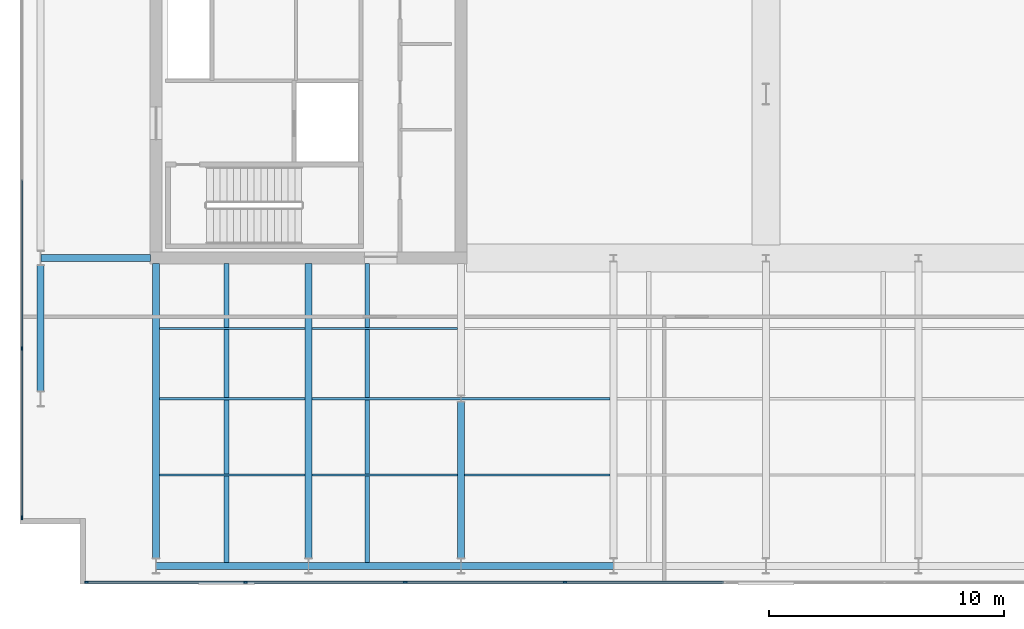
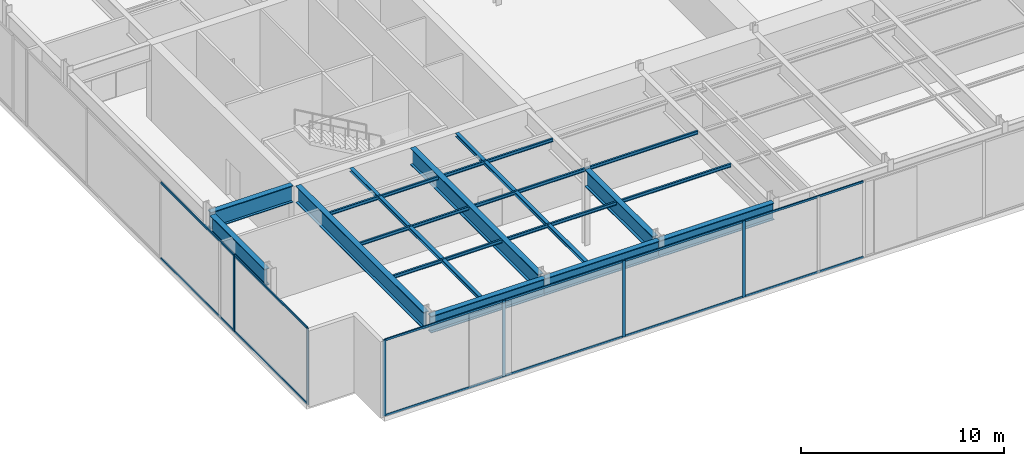
# One storey, part 5 of 21: 20 members, 16 beams, 2 elements without a shape of their own.
"""IFC4 building model written with IfcOpenShell, lengths in metres."""

import ifcopenshell
import ifcopenshell.guid

model = None  # the IFC model being written
_history = None  # IfcOwnerHistory: only IFC2X3 demands one
_inside = {}  # id of a spatial element -> (the spatial element, [elements in it])
_under = {}  # id of a project, library or spatial element -> (it, [spatial elements below it])
_declared = {}  # id of a project -> (the project, [libraries it declares])
_typed = {}  # id of a type object -> (the type object, [elements of that type])
_made_of = {}  # id of a material, layer set ... -> (it, [elements and type objects made of it])


def new_model(schema):
    """Start an empty IFC model of exactly this schema.

    Asked for "IFC4X3", IfcOpenShell would pick the latest addendum, in which some entities
    have other attributes; the version numbers below select the first issue.
    IFC2X3 requires an IfcOwnerHistory on every rooted entity: one is made here for all.
    """
    global model, _history
    if schema == "IFC4X3":
        model = ifcopenshell.file(schema_version=(4, 3, 0, 0))
    else:
        model = ifcopenshell.file(schema=schema)
    _inside.clear()
    _under.clear()
    _declared.clear()
    _typed.clear()
    _made_of.clear()
    _history = None
    if model.schema == "IFC2X3":
        org = make("IfcOrganization", Name="unknown")
        user = make(
            "IfcPersonAndOrganization",
            ThePerson=make("IfcPerson", FamilyName="unknown"),
            TheOrganization=org,
        )
        app = make(
            "IfcApplication",
            ApplicationDeveloper=org,
            Version="unknown",
            ApplicationFullName="unknown",
            ApplicationIdentifier="unknown",
        )
        _history = make(
            "IfcOwnerHistory",
            OwningUser=user,
            OwningApplication=app,
            ChangeAction="ADDED",
            CreationDate=0,
        )
    return model


def make(cls, **values):
    """One entity of the class cls with the attributes given. An attribute that is None is left unset."""
    return model.create_entity(
        cls, **{name: value for name, value in values.items() if value is not None}
    )


def rooted(cls, **values):
    """An entity with a GlobalId (a new one), such as an element, a storey or a relation."""
    return make(cls, GlobalId=ifcopenshell.guid.new(), OwnerHistory=_history, **values)


def si_unit(unit_type, name, prefix=None):
    """IfcSIUnit, for example si_unit("LENGTHUNIT", "METRE", prefix="MILLI")."""
    return make("IfcSIUnit", UnitType=unit_type, Prefix=prefix, Name=name)


def assignment(units):
    """IfcUnitAssignment: the units of a project."""
    return None if units is None else make("IfcUnitAssignment", Units=units)


def point(xyz):
    """IfcCartesianPoint."""
    return None if xyz is None else make("IfcCartesianPoint", Coordinates=xyz)


def direction(xyz):
    """IfcDirection."""
    return None if xyz is None else make("IfcDirection", DirectionRatios=xyz)


def frame(location, z_axis=None, x_axis=None):
    """IfcAxis2Placement3D, a coordinate frame: its origin and axes. An axis left out is left unset."""
    return make(
        "IfcAxis2Placement3D",
        Location=point(location),
        Axis=direction(z_axis),
        RefDirection=direction(x_axis),
    )


def frame_2d(location, x_axis=None):
    """IfcAxis2Placement2D, a coordinate frame in the plane: its origin and x axis."""
    return make(
        "IfcAxis2Placement2D", Location=point(location), RefDirection=direction(x_axis)
    )


def origin():
    """The frame at (0, 0, 0) with its axes left unset."""
    return frame((0.0, 0.0, 0.0))


def origin_2d():
    """The frame at (0, 0) in the plane with its x axis left unset."""
    return frame_2d((0.0, 0.0))


def place(relative_to, where):
    """IfcLocalPlacement: puts the frame where relative to a parent placement (None: the world)."""
    return make(
        "IfcLocalPlacement", PlacementRelTo=relative_to, RelativePlacement=where
    )


def context(
    kind, dimensions, precision=None, world=None, true_north=None, identifier=None
):
    """IfcGeometricRepresentationContext, for example the 3D "Model" context."""
    return make(
        "IfcGeometricRepresentationContext",
        ContextIdentifier=identifier,
        ContextType=kind,
        CoordinateSpaceDimension=dimensions,
        Precision=precision,
        WorldCoordinateSystem=world,
        TrueNorth=true_north,
    )


def subcontext(parent, identifier, kind, view, scale=None):
    """IfcGeometricRepresentationSubContext, for example "Body" below "Model"."""
    return make(
        "IfcGeometricRepresentationSubContext",
        ContextIdentifier=identifier,
        ContextType=kind,
        ParentContext=parent,
        TargetScale=scale,
        TargetView=view,
    )


def project(units=None, contexts=None):
    """IfcProject with its units and contexts."""
    return rooted(
        "IfcProject",
        Name="project",
        RepresentationContexts=contexts,
        UnitsInContext=assignment(units),
    )


def spatial(cls, under=None, at=None, **own):
    """A site, building, storey or space (cls), placed at a placement, below another one or the project."""
    s = rooted(cls, ObjectPlacement=at, **own)
    if under is not None:
        _under.setdefault(under.id(), (under, []))[1].append(s)
    return s


def profile(cls, at=None, kind="AREA", **sizes):
    """A parametric profile (cls). Its sizes go by their IFC names, for example OverallWidth=200.0."""
    return make(cls, ProfileType=kind, Position=at, **sizes)


def rectangle(**sizes):
    """IfcRectangleProfileDef."""
    return profile("IfcRectangleProfileDef", **sizes)


def i_section(**sizes):
    """IfcIShapeProfileDef."""
    return profile("IfcIShapeProfileDef", **sizes)


def extrude(swept, where, along, depth):
    """IfcExtrudedAreaSolid: the profile swept, set in the frame where, extruded along a direction by depth."""
    return make(
        "IfcExtrudedAreaSolid",
        SweptArea=swept,
        Position=where,
        ExtrudedDirection=direction(along),
        Depth=depth,
    )


def shape(context_of_items, identifier, shape_type, items):
    """IfcShapeRepresentation: the items that make up one representation, for example the "Body"."""
    return make(
        "IfcShapeRepresentation",
        ContextOfItems=context_of_items,
        RepresentationIdentifier=identifier,
        RepresentationType=shape_type,
        Items=items,
    )


def material(Name=None, Category=None):
    """IfcMaterial."""
    return make("IfcMaterial", Name=Name, Category=Category)


def layer(
    of_material, thickness, ventilated=None, Name=None, Category=None, Priority=None
):
    """IfcMaterialLayer: one layer of a wall or slab, of a material (None: an air gap)."""
    return make(
        "IfcMaterialLayer",
        Material=of_material,
        LayerThickness=thickness,
        IsVentilated=ventilated,
        Name=Name,
        Category=Category,
        Priority=Priority,
    )


def layer_set(layers, Name=None):
    """IfcMaterialLayerSet."""
    return make("IfcMaterialLayerSet", MaterialLayers=layers, LayerSetName=Name)


def material_profile(
    of_material, cross_section, Name=None, Category=None, Priority=None
):
    """IfcMaterialProfile: a cross section and its material."""
    return make(
        "IfcMaterialProfile",
        Name=Name,
        Material=of_material,
        Profile=cross_section,
        Priority=Priority,
        Category=Category,
    )


def profile_set(profiles, Name=None, composite=None):
    """IfcMaterialProfileSet."""
    return make(
        "IfcMaterialProfileSet",
        Name=Name,
        MaterialProfiles=profiles,
        CompositeProfile=composite,
    )


def made_of(thing, what):
    """Note that an element or type object is made of a material, layer set ...; save() writes the relation."""
    if what is not None:
        _made_of.setdefault(what.id(), (what, []))[1].append(thing)
    return thing


def type_object(cls, material=None, **own):
    """A type object (cls), such as IfcWallType, which elements share."""
    return made_of(rooted(cls, **own), material)


def element(
    cls,
    number,
    at=None,
    inside=None,
    cuts=None,
    type_object=None,
    material=None,
    context=None,
    identifier="Body",
    shape_type=None,
    held_by="IfcProductDefinitionShape",
    body=None,
    shapes=None,
    **own,
):
    """One element of the class cls, such as IfcWall. Its Tag is "e" and its number.

    at: its placement. inside: the storey or other place that contains it. cuts: it is an
    opening in that element (IfcRelVoidsElement). A single representation is given by context,
    identifier, shape_type and body (its items); several are given by shapes. held_by: the class
    of the entity that holds the representations. save() writes the other relations.
    """
    e = rooted(cls, Tag="e%d" % number, ObjectPlacement=at, **own)
    if body is not None:
        shapes = [shape(context, identifier, shape_type, body)]
    if shapes is not None:
        e.Representation = make(held_by, Representations=shapes)
    if inside is not None:
        _inside.setdefault(inside.id(), (inside, []))[1].append(e)
    if cuts is not None:
        rooted(
            "IfcRelVoidsElement", RelatingBuildingElement=cuts, RelatedOpeningElement=e
        )
    if type_object is not None:
        _typed.setdefault(type_object.id(), (type_object, []))[1].append(e)
    return made_of(e, material)


def aggregate(whole, parts):
    """IfcRelAggregates: a whole, such as a stair, and the parts it consists of."""
    return rooted("IfcRelAggregates", RelatingObject=whole, RelatedObjects=parts)


def save(model, path):
    """Write the relations noted so far, then the file.

    IfcRelAggregates (storeys below a building ...), IfcRelContainedInSpatialStructure (elements
    in a storey), IfcRelDefinesByType, IfcRelAssociatesMaterial and IfcRelDeclares: one each for
    every whole, place, type object, material and project.
    """
    for whole, parts in _under.values():
        aggregate(whole, parts)
    for where, things in _inside.values():
        rooted(
            "IfcRelContainedInSpatialStructure",
            RelatedElements=things,
            RelatingStructure=where,
        )
    for kind, things in _typed.values():
        rooted("IfcRelDefinesByType", RelatedObjects=things, RelatingType=kind)
    for what, things in _made_of.values():
        rooted("IfcRelAssociatesMaterial", RelatedObjects=things, RelatingMaterial=what)
    for by, libraries in _declared.values():
        rooted("IfcRelDeclares", RelatingContext=by, RelatedDefinitions=libraries)
    model.write(path)


model = new_model("IFC4")

# Units and contexts
model_context = context("Model", 3, precision=1e-05, world=origin(), true_north=direction((0.0, 1.0)))
body_context = subcontext(model_context, "Body", "Model", "MODEL_VIEW")
ifc_project = project(units=[si_unit("LENGTHUNIT", "METRE"), si_unit("AREAUNIT", "SQUARE_METRE"), si_unit("VOLUMEUNIT", "CUBIC_METRE"), si_unit("PLANEANGLEUNIT", "RADIAN"), si_unit("MASSUNIT", "GRAM", prefix="KILO")], contexts=[model_context])

# Site, building, storey
site_placement = place(None, origin())
site = spatial("IfcSite", under=ifc_project, at=site_placement, CompositionType="ELEMENT")
building_placement = place(site_placement, origin())
building = spatial("IfcBuilding", under=site, at=building_placement, Name="Putna Gate Headquarters", CompositionType="ELEMENT")
storey_placement = place(building_placement, frame((0.0, 0.0, 315.39990234375)))
storey = spatial("IfcBuildingStorey", under=building, at=storey_placement, Name="L79", CompositionType="ELEMENT", Elevation=315.39990234375)

# Beams
ifc_material_1 = material(Name="Steel S355J2", Category="steel")
ifc_material_profile_1 = material_profile(ifc_material_1, i_section(OverallWidth=0.10009765625, OverallDepth=0.199951171875, WebThickness=0.005615234375, FlangeThickness=0.008544921875, at=origin_2d()), Name="Steel S355J2")
ifc_profile_set_1 = profile_set([ifc_material_profile_1], Name="Steel S355J2")
beam_type_1 = type_object("IfcBeamType", Name="BM-SEC-PLT-IPE200", PredefinedType="JOIST", material=ifc_profile_set_1)
for number, where, z_axis, x_axis, name in (
    (1, (13.155029296875, 9.75, 4.47998046875), (1.0, 0.0, 0.0), (0.0, 1.0, 0.0), "L79 South Secondary Beam 1"),
    (2, (13.155029296875, 13.0, 4.47998046875), (1.0, 0.0, 0.0), (0.0, 1.0, 0.0), "L79 South Secondary Beam 1"),
    (3, (13.155029296875, 16.0, 4.47998046875), (1.0, 0.0, 0.0), (0.0, 1.0, 0.0), "L79 South Secondary Beam 1"),
    (4, (19.655029296875, 9.75, 4.47998046875), (1.0, 0.0, 0.0), (0.0, 1.0, 0.0), "L79 South Secondary Beam 2"),
):
    element("IfcBeam", number, at=place(storey_placement, frame(where, z_axis=z_axis, x_axis=x_axis)), inside=storey, type_object=beam_type_1, Name=name, PredefinedType="JOIST", context=body_context, shape_type="SweptSolid", body=[
        extrude(i_section(OverallWidth=0.10009765625, OverallDepth=0.199951171875, WebThickness=0.005615234375, FlangeThickness=0.008544921875, at=origin_2d()), origin(), (0.0, 0.0, 1.0), 6.18994140625),
    ])
beam_1_placement = place(storey_placement, frame((19.655029296875, 13.0, 4.47998046875), z_axis=(1.0, 0.0, 0.0), x_axis=(0.0, 1.0, 0.0)))
element("IfcBeam", 5, at=beam_1_placement, inside=storey, type_object=beam_type_1, Name="L79 South Secondary Beam 2", PredefinedType="JOIST", context=body_context, shape_type="SweptSolid", body=[
    extrude(i_section(OverallWidth=0.10009765625, OverallDepth=0.199951171875, WebThickness=0.005615234375, FlangeThickness=0.008544921875, at=origin_2d()), origin(), (0.0, 0.0, 1.0), 6.3388671875),
])
for number, where, z_axis, x_axis, name in (
    (6, (19.655029296875, 16.0, 4.47998046875), (1.0, 0.0, 0.0), (0.0, 1.0, 0.0), "L79 South Secondary Beam 2"),
    (7, (26.155029296875, 9.75, 4.47998046875), (1.0, 0.0, 0.0), (0.0, 1.0, 0.0), "L79 South Secondary Beam 3"),
):
    element("IfcBeam", number, at=place(storey_placement, frame(where, z_axis=z_axis, x_axis=x_axis)), inside=storey, type_object=beam_type_1, Name=name, PredefinedType="JOIST", context=body_context, shape_type="SweptSolid", body=[
        extrude(i_section(OverallWidth=0.10009765625, OverallDepth=0.199951171875, WebThickness=0.005615234375, FlangeThickness=0.008544921875, at=origin_2d()), origin(), (0.0, 0.0, 1.0), 6.18994140625),
    ])
beam_2_placement = place(storey_placement, frame((26.006103515625, 13.0, 4.47998046875), z_axis=(1.0, 0.0, 0.0), x_axis=(0.0, 1.0, 0.0)))
element("IfcBeam", 8, at=beam_2_placement, inside=storey, type_object=beam_type_1, Name="L79 South Secondary Beam 3", PredefinedType="JOIST", context=body_context, shape_type="SweptSolid", body=[
    extrude(i_section(OverallWidth=0.10009765625, OverallDepth=0.199951171875, WebThickness=0.005615234375, FlangeThickness=0.008544921875, at=origin_2d()), origin(), (0.0, 0.0, 1.0), 6.3388671875),
])
ifc_material_2 = material(Name="Steel S460M", Category="steel")
ifc_material_profile_2 = material_profile(ifc_material_2, i_section(OverallWidth=0.302001953125, OverallDepth=1.008056640625, WebThickness=0.02099609375, FlangeThickness=0.0400390625, at=origin_2d()), Name="Steel S460M")
ifc_profile_set_2 = profile_set([ifc_material_profile_2], Name="Steel S460M")
beam_type_2 = type_object("IfcBeamType", Name="BM-TG-HEM1000", PredefinedType="USERDEFINED", material=ifc_profile_set_2)
beam_3_placement = place(storey_placement, frame((8.0859375, 19.0, 4.076171875), z_axis=(1.0, 0.0, 0.0), x_axis=(0.0, 1.0, 0.0)))
element("IfcBeam", 9, at=beam_3_placement, inside=storey, type_object=beam_type_2, Name="L79 West Wing Girder Y19", ObjectType="GIRDER", PredefinedType="USERDEFINED", context=body_context, shape_type="SweptSolid", body=[
    extrude(i_section(OverallWidth=0.302001953125, OverallDepth=1.008056640625, WebThickness=0.02099609375, FlangeThickness=0.0400390625, at=origin_2d()), origin(), (0.0, 0.0, 1.0), 4.678955078125),
])
for number, where, z_axis, x_axis, name in (
    (10, (13.0, 6.201904296875, 4.076171875), (0.0, 1.0, 0.0), (-1.0, 0.0, 0.0), "L79 South Primary Girder X13"),
    (11, (19.5, 6.201904296875, 4.076171875), (0.0, 1.0, 0.0), (-1.0, 0.0, 0.0), "L79 South Primary Girder X19"),
):
    element("IfcBeam", number, at=place(storey_placement, frame(where, z_axis=z_axis, x_axis=x_axis)), inside=storey, type_object=beam_type_2, Name=name, ObjectType="GIRDER", PredefinedType="USERDEFINED", context=body_context, shape_type="SweptSolid", body=[
        extrude(i_section(OverallWidth=0.302001953125, OverallDepth=1.008056640625, WebThickness=0.02099609375, FlangeThickness=0.0400390625, at=origin_2d()), origin(), (0.0, 0.0, 1.0), 12.56298828125),
    ])
beam_4_placement = place(storey_placement, frame((26.0, 6.201904296875, 4.076171875), z_axis=(0.0, 1.0, 0.0), x_axis=(-1.0, 0.0, 0.0)))
element("IfcBeam", 12, at=beam_4_placement, inside=storey, type_object=beam_type_2, Name="L79 South Primary Girder X26-1", ObjectType="GIRDER", PredefinedType="USERDEFINED", context=body_context, shape_type="SweptSolid", body=[
    extrude(i_section(OverallWidth=0.302001953125, OverallDepth=1.008056640625, WebThickness=0.02099609375, FlangeThickness=0.0400390625, at=origin_2d()), origin(), (0.0, 0.0, 1.0), 6.66015625),
])
ifc_material_profile_3 = material_profile(ifc_material_2, i_section(OverallWidth=0.302001953125, OverallDepth=1.008056640625, WebThickness=0.02099609375, FlangeThickness=0.0400390625, at=origin_2d()), Name="Steel S460M")
ifc_profile_set_3 = profile_set([ifc_material_profile_3], Name="Steel S460M")
beam_type_3 = type_object("IfcBeamType", Name="BM-TG-HEM1000-EXT", PredefinedType="USERDEFINED", material=ifc_profile_set_3)
for number, where, z_axis, x_axis, name in (
    (13, (13.006103515625, 5.8798828125, 4.076171875), (1.0, 0.0, 0.0), (0.0, 1.0, 0.0), "L79 S Perimeter Spandrel 1"),
    (14, (19.506103515625, 5.8798828125, 4.076171875), (1.0, 0.0, 0.0), (0.0, 1.0, 0.0), "L79 S Perimeter Spandrel 2"),
    (15, (26.006103515625, 5.8798828125, 4.076171875), (1.0, 0.0, 0.0), (0.0, 1.0, 0.0), "L79 S Perimeter Spandrel 3"),
):
    element("IfcBeam", number, at=place(storey_placement, frame(where, z_axis=z_axis, x_axis=x_axis)), inside=storey, type_object=beam_type_3, Name=name, ObjectType="GIRDER", PredefinedType="USERDEFINED", context=body_context, shape_type="SweptSolid", body=[
        extrude(i_section(OverallWidth=0.302001953125, OverallDepth=1.008056640625, WebThickness=0.02099609375, FlangeThickness=0.0400390625, at=origin_2d()), origin(), (0.0, 0.0, 1.0), 6.48779296875),
    ])
beam_5_placement = place(storey_placement, frame((8.080078125, 13.322021484375, 4.076171875), z_axis=(0.0, 1.0, 0.0), x_axis=(-1.0, 0.0, 0.0)))
element("IfcBeam", 16, at=beam_5_placement, inside=storey, type_object=beam_type_3, Name="L79 W End Spandrel 1", ObjectType="GIRDER", PredefinedType="USERDEFINED", context=body_context, shape_type="SweptSolid", body=[
    extrude(i_section(OverallWidth=0.302001953125, OverallDepth=1.008056640625, WebThickness=0.02099609375, FlangeThickness=0.0400390625, at=origin_2d()), origin(), (0.0, 0.0, 1.0), 5.35595703125),
])

# Members
ifc_material_profile_4 = material_profile(ifc_material_1, i_section(OverallWidth=0.199951171875, OverallDepth=0.199951171875, WebThickness=0.009033203125, FlangeThickness=0.014892578125, at=origin_2d()), Name="Steel S355J2")
ifc_profile_set_4 = profile_set([ifc_material_profile_4], Name="Steel S355J2")
member_type_1 = type_object("IfcMemberType", Name="MEM-ROOF-PURLIN-HEB200", PredefinedType="PURLIN", material=ifc_profile_set_4)
for number, where, z_axis, x_axis, name in (
    (17, (16.0, 6.0, 4.47998046875), (0.0, 1.0, 0.0), (-1.0, 0.0, 0.0), "Crown Roof South Purlin RP-1 1"),
    (18, (22.0, 6.0, 4.47998046875), (0.0, 1.0, 0.0), (-1.0, 0.0, 0.0), "Crown Roof South Purlin RP-1 2"),
):
    element("IfcMember", number, at=place(storey_placement, frame(where, z_axis=z_axis, x_axis=x_axis)), inside=storey, type_object=member_type_1, Name=name, PredefinedType="PURLIN", context=body_context, shape_type="SweptSolid", body=[
        extrude(i_section(OverallWidth=0.199951171875, OverallDepth=0.199951171875, WebThickness=0.009033203125, FlangeThickness=0.014892578125, at=origin_2d()), origin(), (0.0, 0.0, 1.0), 12.760009765625),
    ])

# Curtain wall, members
ifc_material_3 = material(Name="Anodised bronze aluminium curtain wall", Category="aluminium")
ifc_layer = layer(ifc_material_3, 0.159912109375)
ifc_layer_set = layer_set([ifc_layer], Name="Anodised bronze aluminium curtain wall")
curtain_wall_type = type_object("IfcCurtainWallType", Name="CW-SYS-CRN", PredefinedType="USERDEFINED", material=ifc_layer_set)
curtain_wall_1_placement = place(storey_placement, origin())
curtain_wall_1 = element("IfcCurtainWall", 19, at=curtain_wall_1_placement, inside=storey, type_object=curtain_wall_type, Name="L79 Acoustic Louvre South Enclosure", ObjectType="STICK CURTAIN WALL", PredefinedType="USERDEFINED")
ifc_material_4 = material(Name="Anodised bronze aluminium EN AW-6060", Category="aluminium")
ifc_material_profile_5 = material_profile(ifc_material_4, rectangle(XDim=0.06494140625, YDim=0.159912109375, at=origin_2d()), Name="Anodised bronze aluminium EN AW-6060")
ifc_profile_set_5 = profile_set([ifc_material_profile_5], Name="Anodised bronze aluminium EN AW-6060")
member_type_2 = type_object("IfcMemberType", Name="MULL-CWM-CR", PredefinedType="MULLION", material=ifc_profile_set_5)
member_1_placement = place(storey_placement, frame((10.032470703125, 5.179931640625, 0.0), z_axis=(0.0, 0.0, 1.0), x_axis=(0.0, 1.0, 0.0)))
member_1 = element("IfcMember", 20, at=member_1_placement, type_object=member_type_2, Name="CWS-CR mullion 1", PredefinedType="MULLION", context=body_context, shape_type="SweptSolid", body=[
    extrude(rectangle(XDim=0.06494140625, YDim=0.159912109375, at=origin_2d()), origin(), (0.0, 0.0, 1.0), 4.580078125),
])
member_2_placement = place(storey_placement, frame((16.81103515625, 5.179931640625, 0.0), z_axis=(0.0, 0.0, 1.0), x_axis=(0.0, 1.0, 0.0)))
member_2 = element("IfcMember", 21, at=member_2_placement, type_object=member_type_2, Name="CWS-CR mullion 2", PredefinedType="MULLION", context=body_context, shape_type="SweptSolid", body=[
    extrude(rectangle(XDim=0.06494140625, YDim=0.159912109375, at=origin_2d()), origin(), (0.0, 0.0, 1.0), 4.580078125),
])
member_3_placement = place(storey_placement, frame((23.622314453125, 5.179931640625, 0.0), z_axis=(0.0, 0.0, 1.0), x_axis=(0.0, 1.0, 0.0)))
member_3 = element("IfcMember", 22, at=member_3_placement, type_object=member_type_2, Name="CWS-CR mullion 3", PredefinedType="MULLION", context=body_context, shape_type="SweptSolid", body=[
    extrude(rectangle(XDim=0.06494140625, YDim=0.159912109375, at=origin_2d()), origin(), (0.0, 0.0, 1.0), 4.580078125),
])
member_4_placement = place(storey_placement, frame((30.433349609375, 5.179931640625, 0.0), z_axis=(0.0, 0.0, 1.0), x_axis=(0.0, 1.0, 0.0)))
member_4 = element("IfcMember", 23, at=member_4_placement, type_object=member_type_2, Name="CWS-CR mullion 4", PredefinedType="MULLION", context=body_context, shape_type="SweptSolid", body=[
    extrude(rectangle(XDim=0.06494140625, YDim=0.159912109375, at=origin_2d()), origin(), (0.0, 0.0, 1.0), 4.580078125),
])

curtain_wall_2_placement = place(storey_placement, origin())
curtain_wall_2 = element("IfcCurtainWall", 24, at=curtain_wall_2_placement, inside=storey, type_object=curtain_wall_type, Name="L79 Acoustic Louvre West Enclosure", ObjectType="STICK CURTAIN WALL", PredefinedType="USERDEFINED")
member_5_placement = place(storey_placement, frame((7.280029296875, 7.9326171875, 0.0), z_axis=(0.0, 0.0, 1.0), x_axis=(-1.0, 0.0, 0.0)))
member_5 = element("IfcMember", 25, at=member_5_placement, type_object=member_type_2, Name="CWS-CR mullion 1", PredefinedType="MULLION", context=body_context, shape_type="SweptSolid", body=[
    extrude(rectangle(XDim=0.06494140625, YDim=0.159912109375, at=origin_2d()), origin(), (0.0, 0.0, 1.0), 4.580078125),
])
member_6_placement = place(storey_placement, frame((7.280029296875, 15.139892578125, 0.0), z_axis=(0.0, 0.0, 1.0), x_axis=(-1.0, 0.0, 0.0)))
member_6 = element("IfcMember", 26, at=member_6_placement, type_object=member_type_2, Name="CWS-CR mullion 2", PredefinedType="MULLION", context=body_context, shape_type="SweptSolid", body=[
    extrude(rectangle(XDim=0.06494140625, YDim=0.159912109375, at=origin_2d()), origin(), (0.0, 0.0, 1.0), 4.580078125),
])

# Member
ifc_material_profile_6 = material_profile(ifc_material_4, rectangle(XDim=0.06494140625, YDim=0.1201171875, at=origin_2d()), Name="Anodised bronze aluminium EN AW-6060")
ifc_profile_set_6 = profile_set([ifc_material_profile_6], Name="Anodised bronze aluminium EN AW-6060")
member_type_3 = type_object("IfcMemberType", Name="TRAN-CWT-CR", PredefinedType="USERDEFINED", material=ifc_profile_set_6)
member_7_placement = place(storey_placement, frame((10.06494140625, 5.179931640625, 0.03271484375), z_axis=(1.0, 0.0, 0.0), x_axis=(0.0, 1.0, 0.0)))
member_7 = element("IfcMember", 27, at=member_7_placement, type_object=member_type_3, Name="CWS-CR transom 1.1", ObjectType="TRANSOM", PredefinedType="USERDEFINED", context=body_context, shape_type="SweptSolid", body=[
    extrude(rectangle(XDim=0.06494140625, YDim=0.1201171875, at=origin_2d()), origin(), (0.0, 0.0, 1.0), 6.713623046875),
])

member_8_placement = place(storey_placement, frame((10.06494140625, 5.179931640625, 4.547607421875), z_axis=(1.0, 0.0, 0.0), x_axis=(0.0, 1.0, 0.0)))
member_8 = element("IfcMember", 28, at=member_8_placement, type_object=member_type_3, Name="CWS-CR transom 1.2", ObjectType="TRANSOM", PredefinedType="USERDEFINED", context=body_context, shape_type="SweptSolid", body=[
    extrude(rectangle(XDim=0.06494140625, YDim=0.1201171875, at=origin_2d()), origin(), (0.0, 0.0, 1.0), 6.713623046875),
])

member_9_placement = place(storey_placement, frame((16.843505859375, 5.179931640625, 0.03271484375), z_axis=(1.0, 0.0, 0.0), x_axis=(0.0, 1.0, 0.0)))
member_9 = element("IfcMember", 29, at=member_9_placement, type_object=member_type_3, Name="CWS-CR transom 2.1", ObjectType="TRANSOM", PredefinedType="USERDEFINED", context=body_context, shape_type="SweptSolid", body=[
    extrude(rectangle(XDim=0.06494140625, YDim=0.1201171875, at=origin_2d()), origin(), (0.0, 0.0, 1.0), 6.746337890625),
])

member_10_placement = place(storey_placement, frame((16.843505859375, 5.179931640625, 4.547607421875), z_axis=(1.0, 0.0, 0.0), x_axis=(0.0, 1.0, 0.0)))
member_10 = element("IfcMember", 30, at=member_10_placement, type_object=member_type_3, Name="CWS-CR transom 2.2", ObjectType="TRANSOM", PredefinedType="USERDEFINED", context=body_context, shape_type="SweptSolid", body=[
    extrude(rectangle(XDim=0.06494140625, YDim=0.1201171875, at=origin_2d()), origin(), (0.0, 0.0, 1.0), 6.746337890625),
])

member_11_placement = place(storey_placement, frame((23.65478515625, 5.179931640625, 0.03271484375), z_axis=(1.0, 0.0, 0.0), x_axis=(0.0, 1.0, 0.0)))
member_11 = element("IfcMember", 31, at=member_11_placement, type_object=member_type_3, Name="CWS-CR transom 3.1", ObjectType="TRANSOM", PredefinedType="USERDEFINED", context=body_context, shape_type="SweptSolid", body=[
    extrude(rectangle(XDim=0.06494140625, YDim=0.1201171875, at=origin_2d()), origin(), (0.0, 0.0, 1.0), 6.74609375),
])

member_12_placement = place(storey_placement, frame((23.65478515625, 5.179931640625, 4.547607421875), z_axis=(1.0, 0.0, 0.0), x_axis=(0.0, 1.0, 0.0)))
member_12 = element("IfcMember", 32, at=member_12_placement, type_object=member_type_3, Name="CWS-CR transom 3.2", ObjectType="TRANSOM", PredefinedType="USERDEFINED", context=body_context, shape_type="SweptSolid", body=[
    extrude(rectangle(XDim=0.06494140625, YDim=0.1201171875, at=origin_2d()), origin(), (0.0, 0.0, 1.0), 6.74609375),
])

member_13_placement = place(storey_placement, frame((30.4658203125, 5.179931640625, 0.03271484375), z_axis=(1.0, 0.0, 0.0), x_axis=(0.0, 1.0, 0.0)))
member_13 = element("IfcMember", 33, at=member_13_placement, type_object=member_type_3, Name="CWS-CR transom 4.1", ObjectType="TRANSOM", PredefinedType="USERDEFINED", context=body_context, shape_type="SweptSolid", body=[
    extrude(rectangle(XDim=0.06494140625, YDim=0.1201171875, at=origin_2d()), origin(), (0.0, 0.0, 1.0), 6.74609375),
])

member_14_placement = place(storey_placement, frame((30.4658203125, 5.179931640625, 4.547607421875), z_axis=(1.0, 0.0, 0.0), x_axis=(0.0, 1.0, 0.0)))
member_14 = element("IfcMember", 34, at=member_14_placement, type_object=member_type_3, Name="CWS-CR transom 4.2", ObjectType="TRANSOM", PredefinedType="USERDEFINED", context=body_context, shape_type="SweptSolid", body=[
    extrude(rectangle(XDim=0.06494140625, YDim=0.1201171875, at=origin_2d()), origin(), (0.0, 0.0, 1.0), 6.74609375),
])

aggregate(curtain_wall_1, [member_1, member_2, member_3, member_4, member_7, member_8, member_9, member_10, member_11, member_12, member_13, member_14])

member_15_placement = place(storey_placement, frame((7.280029296875, 7.965087890625, 0.03271484375), z_axis=(0.0, 1.0, 0.0), x_axis=(-1.0, 0.0, 0.0)))
member_15 = element("IfcMember", 35, at=member_15_placement, type_object=member_type_3, Name="CWS-CR transom 1.1", ObjectType="TRANSOM", PredefinedType="USERDEFINED", context=body_context, shape_type="SweptSolid", body=[
    extrude(rectangle(XDim=0.06494140625, YDim=0.1201171875, at=origin_2d()), origin(), (0.0, 0.0, 1.0), 7.142333984375),
])

member_16_placement = place(storey_placement, frame((7.280029296875, 7.965087890625, 4.547607421875), z_axis=(0.0, 1.0, 0.0), x_axis=(-1.0, 0.0, 0.0)))
member_16 = element("IfcMember", 36, at=member_16_placement, type_object=member_type_3, Name="CWS-CR transom 1.2", ObjectType="TRANSOM", PredefinedType="USERDEFINED", context=body_context, shape_type="SweptSolid", body=[
    extrude(rectangle(XDim=0.06494140625, YDim=0.1201171875, at=origin_2d()), origin(), (0.0, 0.0, 1.0), 7.142333984375),
])

member_17_placement = place(storey_placement, frame((7.280029296875, 15.172607421875, 0.03271484375), z_axis=(0.0, 1.0, 0.0), x_axis=(-1.0, 0.0, 0.0)))
member_17 = element("IfcMember", 37, at=member_17_placement, type_object=member_type_3, Name="CWS-CR transom 2.1", ObjectType="TRANSOM", PredefinedType="USERDEFINED", context=body_context, shape_type="SweptSolid", body=[
    extrude(rectangle(XDim=0.06494140625, YDim=0.1201171875, at=origin_2d()), origin(), (0.0, 0.0, 1.0), 7.1748046875),
])

member_18_placement = place(storey_placement, frame((7.280029296875, 15.172607421875, 4.547607421875), z_axis=(0.0, 1.0, 0.0), x_axis=(-1.0, 0.0, 0.0)))
member_18 = element("IfcMember", 38, at=member_18_placement, type_object=member_type_3, Name="CWS-CR transom 2.2", ObjectType="TRANSOM", PredefinedType="USERDEFINED", context=body_context, shape_type="SweptSolid", body=[
    extrude(rectangle(XDim=0.06494140625, YDim=0.1201171875, at=origin_2d()), origin(), (0.0, 0.0, 1.0), 7.1748046875),
])

aggregate(curtain_wall_2, [member_5, member_6, member_15, member_16, member_17, member_18])

save(model, "model.ifc")
